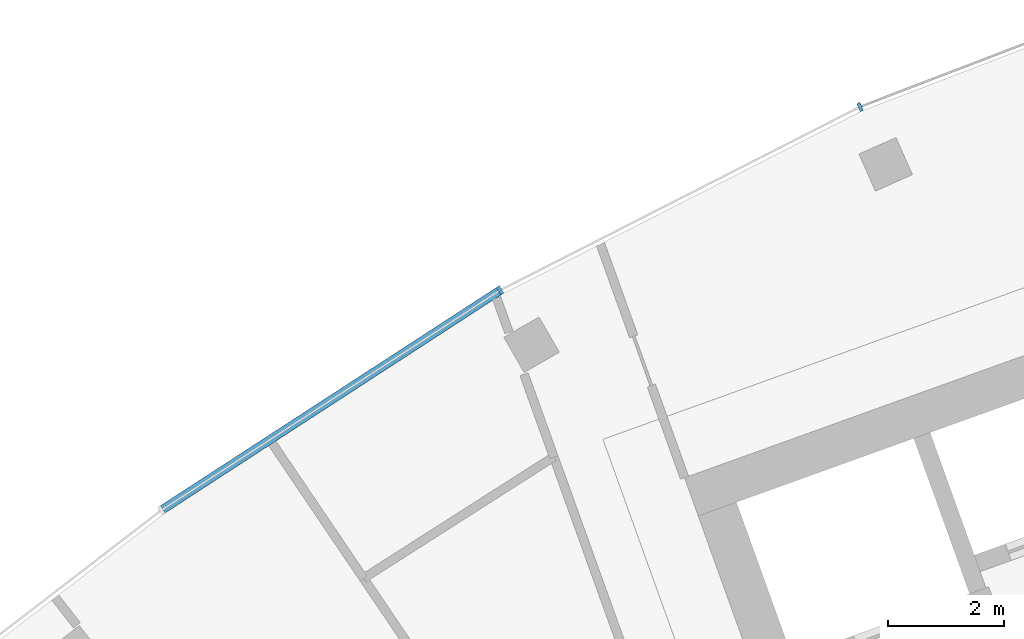
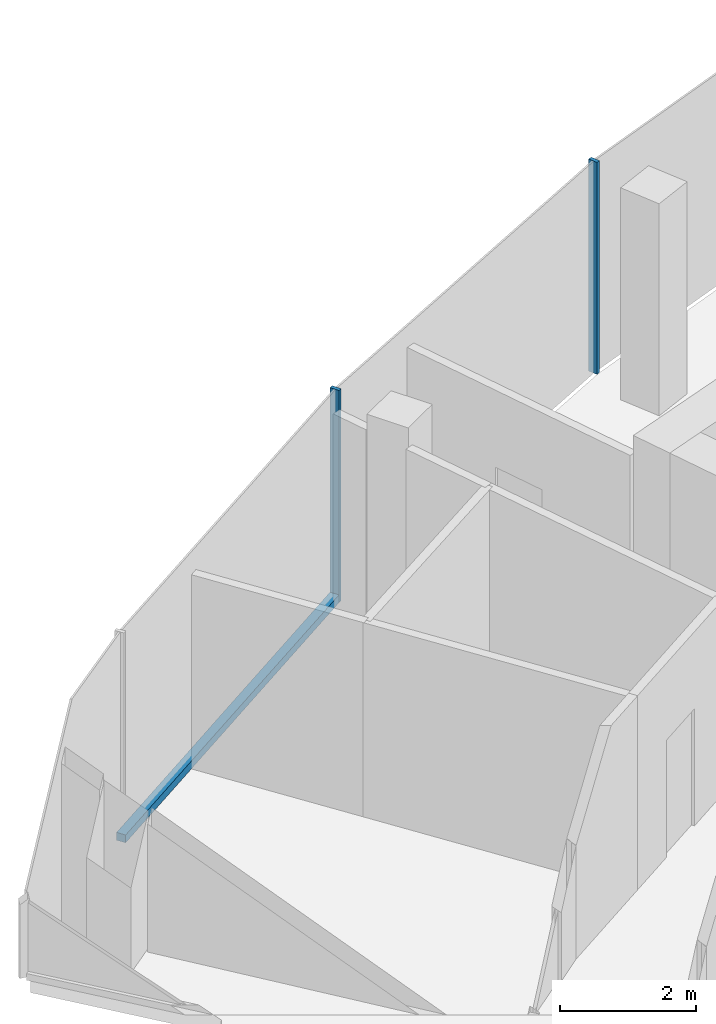
# One storey, part 4 of 18: 3 members, 1 element without a shape of its own.
"""IFC4 building model written with IfcOpenShell, lengths in metres."""

from ifc_helpers import new_model, si_unit, direction, frame, origin, origin_2d, place, context, subcontext, project, spatial, rectangle, extrude, material, layer, layer_set, material_profile, profile_set, type_object, element, aggregate, save


model = new_model("IFC4")

# Units and contexts
model_context = context("Model", 3, precision=1e-05, world=origin(), true_north=direction((0.0, 1.0)))
body_context = subcontext(model_context, "Body", "Model", "MODEL_VIEW")
ifc_project = project(units=[si_unit("LENGTHUNIT", "METRE"), si_unit("AREAUNIT", "SQUARE_METRE"), si_unit("VOLUMEUNIT", "CUBIC_METRE"), si_unit("PLANEANGLEUNIT", "RADIAN"), si_unit("MASSUNIT", "GRAM", prefix="KILO")], contexts=[model_context])

# Site, building, storey
site_placement = place(None, origin())
site = spatial("IfcSite", under=ifc_project, at=site_placement, CompositionType="ELEMENT")
building_placement = place(site_placement, origin())
building = spatial("IfcBuilding", under=site, at=building_placement, Name="Stone Belt Terrace Tower", CompositionType="ELEMENT")
storey_placement = place(building_placement, frame((0.0, 0.0, 284.60009765625)))
storey = spatial("IfcBuildingStorey", under=building, at=storey_placement, Name="L69", CompositionType="ELEMENT", Elevation=284.60009765625)

# Curtain wall, members
ifc_material = material(Name="Aluminium 6063-T6 anodised frame", Category="aluminium")
ifc_layer = layer(ifc_material, 0.14990234375)
ifc_layer_set = layer_set([ifc_layer], Name="CW-A unitised convex-face curtain wall")
curtain_wall_type = type_object("IfcCurtainWallType", Name="CW-A unitised convex-face curtain wall", PredefinedType="NOTDEFINED", material=ifc_layer_set)
curtain_wall_placement = place(storey_placement, origin())
curtain_wall = element("IfcCurtainWall", 1, at=curtain_wall_placement, inside=storey, type_object=curtain_wall_type, Name="CW-A convex face L69", PredefinedType="NOTDEFINED")
ifc_material_profile_1 = material_profile(ifc_material, rectangle(XDim=0.14990234375, YDim=0.06005859375, at=origin_2d()), Name="Aluminium 6063-T6 60x150")
ifc_profile_set_1 = profile_set([ifc_material_profile_1], Name="Aluminium 6063-T6 anodised frame")
member_type_1 = type_object("IfcMemberType", Name="CW-A mullion 60 x 150", PredefinedType="MULLION", material=ifc_profile_set_1)
member_1_placement = place(storey_placement, frame((-27.07861328125, 60.8193359375, 0.0), z_axis=(0.0, 0.0, 1.0), x_axis=(0.406736643076, -0.913545457643, 0.0)))
member_1 = element("IfcMember", 2, at=member_1_placement, type_object=member_type_1, Name="CW-A mullion 12", PredefinedType="MULLION", context=body_context, shape_type="SweptSolid", body=[
    extrude(rectangle(XDim=0.14990234375, YDim=0.06005859375, at=origin_2d()), origin(), (0.0, 0.0, 1.0), 3.7998046875),
])
member_2_placement = place(storey_placement, frame((-33.28759765625, 57.65576171875, 0.0), z_axis=(0.0, 0.0, 1.0), x_axis=(0.5, -0.866025403784, 0.0)))
member_2 = element("IfcMember", 3, at=member_2_placement, type_object=member_type_1, Name="CW-A mullion 13", PredefinedType="MULLION", context=body_context, shape_type="SweptSolid", body=[
    extrude(rectangle(XDim=0.14990234375, YDim=0.06005859375, at=origin_2d()), origin(), (0.0, 0.0, 1.0), 3.7998046875),
])
ifc_material_profile_2 = material_profile(ifc_material, rectangle(XDim=0.14990234375, YDim=0.139892578125, at=origin_2d()), Name="Aluminium 6063-T6 150x140")
ifc_profile_set_2 = profile_set([ifc_material_profile_2], Name="Aluminium 6063-T6 anodised frame")
member_type_2 = type_object("IfcMemberType", Name="CW-A transom 140 x 150", PredefinedType="USERDEFINED", material=ifc_profile_set_2)
member_3_placement = place(storey_placement, frame((-33.31591796875, 57.63720703125, 0.06982421875), z_axis=(-0.83868440714, -0.544617723931, 0.0), x_axis=(0.544617723931, -0.83868440714, 0.0)))
member_3 = element("IfcMember", 4, at=member_3_placement, type_object=member_type_2, Name="CW-A transom 13.1", ObjectType="TRANSOM", PredefinedType="USERDEFINED", context=body_context, shape_type="SweptSolid", body=[
    extrude(rectangle(XDim=0.14990234375, YDim=0.139892578125, at=origin_2d()), origin(), (0.0, 0.0, 1.0), 6.90087890625),
])
aggregate(curtain_wall, [member_1, member_2, member_3])

save(model, "model.ifc")
